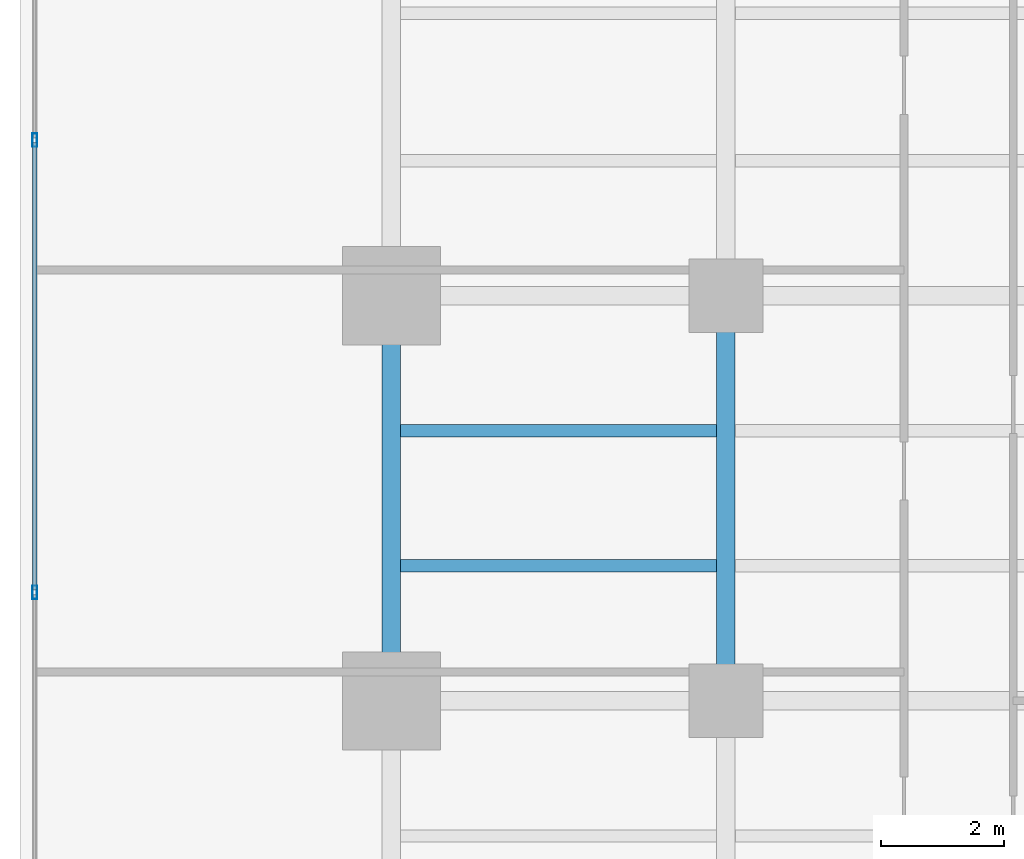
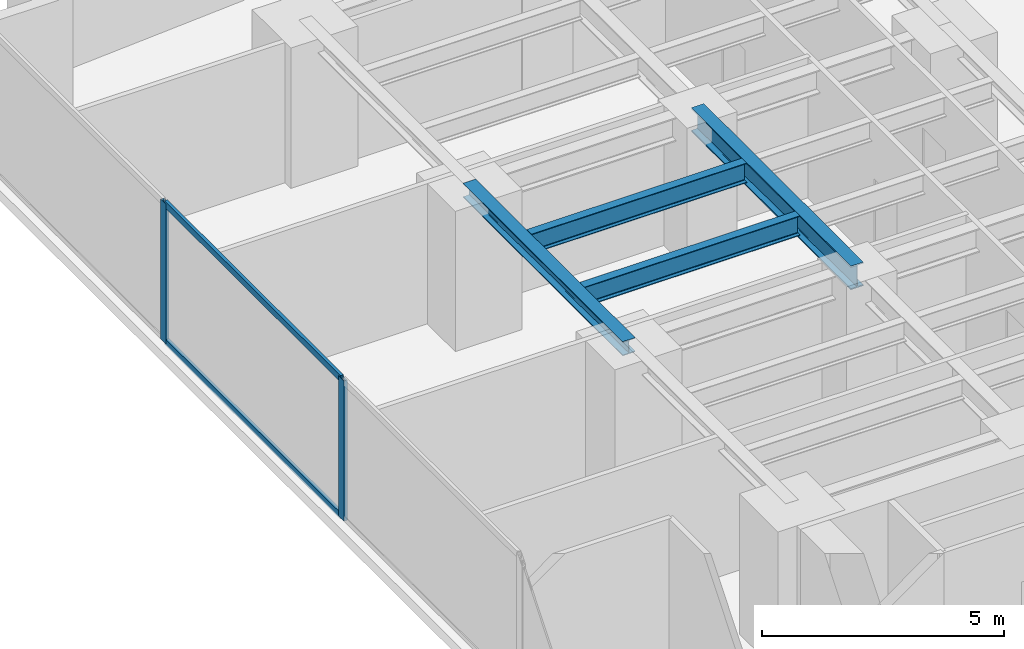
# One storey, part 15 of 28: 4 beams, 4 members, 1 element without a shape of its own.
"""IFC4 building model written with IfcOpenShell, lengths in metres."""

import ifcopenshell
import ifcopenshell.guid

model = None  # the IFC model being written
_history = None  # IfcOwnerHistory: only IFC2X3 demands one
_inside = {}  # id of a spatial element -> (the spatial element, [elements in it])
_under = {}  # id of a project, library or spatial element -> (it, [spatial elements below it])
_declared = {}  # id of a project -> (the project, [libraries it declares])
_typed = {}  # id of a type object -> (the type object, [elements of that type])
_made_of = {}  # id of a material, layer set ... -> (it, [elements and type objects made of it])


def new_model(schema):
    """Start an empty IFC model of exactly this schema.

    Asked for "IFC4X3", IfcOpenShell would pick the latest addendum, in which some entities
    have other attributes; the version numbers below select the first issue.
    IFC2X3 requires an IfcOwnerHistory on every rooted entity: one is made here for all.
    """
    global model, _history
    if schema == "IFC4X3":
        model = ifcopenshell.file(schema_version=(4, 3, 0, 0))
    else:
        model = ifcopenshell.file(schema=schema)
    _inside.clear()
    _under.clear()
    _declared.clear()
    _typed.clear()
    _made_of.clear()
    _history = None
    if model.schema == "IFC2X3":
        org = make("IfcOrganization", Name="unknown")
        user = make(
            "IfcPersonAndOrganization",
            ThePerson=make("IfcPerson", FamilyName="unknown"),
            TheOrganization=org,
        )
        app = make(
            "IfcApplication",
            ApplicationDeveloper=org,
            Version="unknown",
            ApplicationFullName="unknown",
            ApplicationIdentifier="unknown",
        )
        _history = make(
            "IfcOwnerHistory",
            OwningUser=user,
            OwningApplication=app,
            ChangeAction="ADDED",
            CreationDate=0,
        )
    return model


def make(cls, **values):
    """One entity of the class cls with the attributes given. An attribute that is None is left unset."""
    return model.create_entity(
        cls, **{name: value for name, value in values.items() if value is not None}
    )


def rooted(cls, **values):
    """An entity with a GlobalId (a new one), such as an element, a storey or a relation."""
    return make(cls, GlobalId=ifcopenshell.guid.new(), OwnerHistory=_history, **values)


def si_unit(unit_type, name, prefix=None):
    """IfcSIUnit, for example si_unit("LENGTHUNIT", "METRE", prefix="MILLI")."""
    return make("IfcSIUnit", UnitType=unit_type, Prefix=prefix, Name=name)


def assignment(units):
    """IfcUnitAssignment: the units of a project."""
    return None if units is None else make("IfcUnitAssignment", Units=units)


def point(xyz):
    """IfcCartesianPoint."""
    return None if xyz is None else make("IfcCartesianPoint", Coordinates=xyz)


def direction(xyz):
    """IfcDirection."""
    return None if xyz is None else make("IfcDirection", DirectionRatios=xyz)


def frame(location, z_axis=None, x_axis=None):
    """IfcAxis2Placement3D, a coordinate frame: its origin and axes. An axis left out is left unset."""
    return make(
        "IfcAxis2Placement3D",
        Location=point(location),
        Axis=direction(z_axis),
        RefDirection=direction(x_axis),
    )


def frame_2d(location, x_axis=None):
    """IfcAxis2Placement2D, a coordinate frame in the plane: its origin and x axis."""
    return make(
        "IfcAxis2Placement2D", Location=point(location), RefDirection=direction(x_axis)
    )


def origin():
    """The frame at (0, 0, 0) with its axes left unset."""
    return frame((0.0, 0.0, 0.0))


def origin_with_axes():
    """The frame at (0, 0, 0) with the z axis (0, 0, 1) and the x axis (1, 0, 0) written out."""
    return frame((0.0, 0.0, 0.0), z_axis=(0.0, 0.0, 1.0), x_axis=(1.0, 0.0, 0.0))


def origin_2d():
    """The frame at (0, 0) in the plane with its x axis left unset."""
    return frame_2d((0.0, 0.0))


def place(relative_to, where):
    """IfcLocalPlacement: puts the frame where relative to a parent placement (None: the world)."""
    return make(
        "IfcLocalPlacement", PlacementRelTo=relative_to, RelativePlacement=where
    )


def context(
    kind, dimensions, precision=None, world=None, true_north=None, identifier=None
):
    """IfcGeometricRepresentationContext, for example the 3D "Model" context."""
    return make(
        "IfcGeometricRepresentationContext",
        ContextIdentifier=identifier,
        ContextType=kind,
        CoordinateSpaceDimension=dimensions,
        Precision=precision,
        WorldCoordinateSystem=world,
        TrueNorth=true_north,
    )


def subcontext(parent, identifier, kind, view, scale=None):
    """IfcGeometricRepresentationSubContext, for example "Body" below "Model"."""
    return make(
        "IfcGeometricRepresentationSubContext",
        ContextIdentifier=identifier,
        ContextType=kind,
        ParentContext=parent,
        TargetScale=scale,
        TargetView=view,
    )


def project(units=None, contexts=None):
    """IfcProject with its units and contexts."""
    return rooted(
        "IfcProject",
        Name="project",
        RepresentationContexts=contexts,
        UnitsInContext=assignment(units),
    )


def spatial(cls, under=None, at=None, **own):
    """A site, building, storey or space (cls), placed at a placement, below another one or the project."""
    s = rooted(cls, ObjectPlacement=at, **own)
    if under is not None:
        _under.setdefault(under.id(), (under, []))[1].append(s)
    return s


def profile(cls, at=None, kind="AREA", **sizes):
    """A parametric profile (cls). Its sizes go by their IFC names, for example OverallWidth=200.0."""
    return make(cls, ProfileType=kind, Position=at, **sizes)


def hollow_rectangle(**sizes):
    """IfcRectangleHollowProfileDef."""
    return profile("IfcRectangleHollowProfileDef", **sizes)


def i_section(**sizes):
    """IfcIShapeProfileDef."""
    return profile("IfcIShapeProfileDef", **sizes)


def extrude(swept, where, along, depth):
    """IfcExtrudedAreaSolid: the profile swept, set in the frame where, extruded along a direction by depth."""
    return make(
        "IfcExtrudedAreaSolid",
        SweptArea=swept,
        Position=where,
        ExtrudedDirection=direction(along),
        Depth=depth,
    )


def shape(context_of_items, identifier, shape_type, items):
    """IfcShapeRepresentation: the items that make up one representation, for example the "Body"."""
    return make(
        "IfcShapeRepresentation",
        ContextOfItems=context_of_items,
        RepresentationIdentifier=identifier,
        RepresentationType=shape_type,
        Items=items,
    )


def source(mapping_origin, context_of_items, identifier, shape_type, items):
    """IfcRepresentationMap: a shape defined once, which mapped items show again and again."""
    return make(
        "IfcRepresentationMap",
        MappingOrigin=mapping_origin,
        MappedRepresentation=shape(context_of_items, identifier, shape_type, items),
    )


def transform(
    local_origin,
    x_axis=None,
    y_axis=None,
    z_axis=None,
    scale=None,
    scale2=None,
    scale3=None,
    uniform=True,
):
    """IfcCartesianTransformationOperator3D, or its non-uniform kind. x_axis, y_axis, z_axis: its Axis1, 2, 3."""
    if uniform:
        return make(
            "IfcCartesianTransformationOperator3D",
            Axis1=direction(x_axis),
            Axis2=direction(y_axis),
            LocalOrigin=point(local_origin),
            Scale=scale,
            Axis3=direction(z_axis),
        )
    return make(
        "IfcCartesianTransformationOperator3DnonUniform",
        Axis1=direction(x_axis),
        Axis2=direction(y_axis),
        LocalOrigin=point(local_origin),
        Scale=scale,
        Axis3=direction(z_axis),
        Scale2=scale2,
        Scale3=scale3,
    )


def mapped(mapping_source, mapping_target):
    """IfcMappedItem: shows the shape of a source again, moved by a transform."""
    return make(
        "IfcMappedItem", MappingSource=mapping_source, MappingTarget=mapping_target
    )


def material(Name=None, Category=None):
    """IfcMaterial."""
    return make("IfcMaterial", Name=Name, Category=Category)


def layer(
    of_material, thickness, ventilated=None, Name=None, Category=None, Priority=None
):
    """IfcMaterialLayer: one layer of a wall or slab, of a material (None: an air gap)."""
    return make(
        "IfcMaterialLayer",
        Material=of_material,
        LayerThickness=thickness,
        IsVentilated=ventilated,
        Name=Name,
        Category=Category,
        Priority=Priority,
    )


def layer_set(layers, Name=None):
    """IfcMaterialLayerSet."""
    return make("IfcMaterialLayerSet", MaterialLayers=layers, LayerSetName=Name)


def material_profile(
    of_material, cross_section, Name=None, Category=None, Priority=None
):
    """IfcMaterialProfile: a cross section and its material."""
    return make(
        "IfcMaterialProfile",
        Name=Name,
        Material=of_material,
        Profile=cross_section,
        Priority=Priority,
        Category=Category,
    )


def profile_set(profiles, Name=None, composite=None):
    """IfcMaterialProfileSet."""
    return make(
        "IfcMaterialProfileSet",
        Name=Name,
        MaterialProfiles=profiles,
        CompositeProfile=composite,
    )


def made_of(thing, what):
    """Note that an element or type object is made of a material, layer set ...; save() writes the relation."""
    if what is not None:
        _made_of.setdefault(what.id(), (what, []))[1].append(thing)
    return thing


def type_object(cls, material=None, **own):
    """A type object (cls), such as IfcWallType, which elements share."""
    return made_of(rooted(cls, **own), material)


def element(
    cls,
    number,
    at=None,
    inside=None,
    cuts=None,
    type_object=None,
    material=None,
    context=None,
    identifier="Body",
    shape_type=None,
    held_by="IfcProductDefinitionShape",
    body=None,
    shapes=None,
    **own,
):
    """One element of the class cls, such as IfcWall. Its Tag is "e" and its number.

    at: its placement. inside: the storey or other place that contains it. cuts: it is an
    opening in that element (IfcRelVoidsElement). A single representation is given by context,
    identifier, shape_type and body (its items); several are given by shapes. held_by: the class
    of the entity that holds the representations. save() writes the other relations.
    """
    e = rooted(cls, Tag="e%d" % number, ObjectPlacement=at, **own)
    if body is not None:
        shapes = [shape(context, identifier, shape_type, body)]
    if shapes is not None:
        e.Representation = make(held_by, Representations=shapes)
    if inside is not None:
        _inside.setdefault(inside.id(), (inside, []))[1].append(e)
    if cuts is not None:
        rooted(
            "IfcRelVoidsElement", RelatingBuildingElement=cuts, RelatedOpeningElement=e
        )
    if type_object is not None:
        _typed.setdefault(type_object.id(), (type_object, []))[1].append(e)
    return made_of(e, material)


def aggregate(whole, parts):
    """IfcRelAggregates: a whole, such as a stair, and the parts it consists of."""
    return rooted("IfcRelAggregates", RelatingObject=whole, RelatedObjects=parts)


def save(model, path):
    """Write the relations noted so far, then the file.

    IfcRelAggregates (storeys below a building ...), IfcRelContainedInSpatialStructure (elements
    in a storey), IfcRelDefinesByType, IfcRelAssociatesMaterial and IfcRelDeclares: one each for
    every whole, place, type object, material and project.
    """
    for whole, parts in _under.values():
        aggregate(whole, parts)
    for where, things in _inside.values():
        rooted(
            "IfcRelContainedInSpatialStructure",
            RelatedElements=things,
            RelatingStructure=where,
        )
    for kind, things in _typed.values():
        rooted("IfcRelDefinesByType", RelatedObjects=things, RelatingType=kind)
    for what, things in _made_of.values():
        rooted("IfcRelAssociatesMaterial", RelatedObjects=things, RelatingMaterial=what)
    for by, libraries in _declared.values():
        rooted("IfcRelDeclares", RelatingContext=by, RelatedDefinitions=libraries)
    model.write(path)


model = new_model("IFC4")

# Units and contexts
model_context = context("Model", 3, precision=1e-05, world=origin(), true_north=direction((0.0, 1.0)))
body_context = subcontext(model_context, "Body", "Model", "MODEL_VIEW")
ifc_project = project(units=[si_unit("LENGTHUNIT", "METRE"), si_unit("AREAUNIT", "SQUARE_METRE"), si_unit("VOLUMEUNIT", "CUBIC_METRE"), si_unit("PLANEANGLEUNIT", "RADIAN"), si_unit("MASSUNIT", "GRAM", prefix="KILO")], contexts=[model_context])

# Site, building, storey
site_placement = place(None, origin())
site = spatial("IfcSite", under=ifc_project, at=site_placement, CompositionType="ELEMENT")
building_placement = place(site_placement, origin())
building = spatial("IfcBuilding", under=site, at=building_placement, Name="Kolvaren Waterfront Exchange", CompositionType="ELEMENT")
storey_placement = place(building_placement, frame((0.0, 0.0, 56.199951171875)))
storey = spatial("IfcBuildingStorey", under=building, at=storey_placement, Name="L14", CompositionType="ELEMENT", Elevation=56.199951171875)

# Beams
ifc_material_1 = material(Name="Steel S355", Category="steel")
ifc_material_profile_1 = material_profile(ifc_material_1, i_section(OverallWidth=0.300048828125, OverallDepth=0.360107421875, WebThickness=0.012451171875, FlangeThickness=0.0224609375, FilletRadius=0.027099609375, at=origin_2d()), Name="HEB360")
ifc_profile_set_1 = profile_set([ifc_material_profile_1], Name="Steel S355")
beam_type_1 = type_object("IfcBeamType", Name="STR-BM-HEB360", PredefinedType="SPANDREL", material=ifc_profile_set_1)
beam_1_placement = place(storey_placement, frame((7.449951171875, 31.199951171875, 3.360107421875), z_axis=(0.0, 1.0, 0.0), x_axis=(-1.0, 0.0, 0.0)))
element("IfcBeam", 1, at=beam_1_placement, inside=storey, type_object=beam_type_1, Name="L14 north-arm edge beam 2", PredefinedType="SPANDREL", context=body_context, shape_type="SweptSolid", body=[
    extrude(i_section(OverallWidth=0.300048828125, OverallDepth=0.360107421875, WebThickness=0.012451171875, FlangeThickness=0.0224609375, FilletRadius=0.027099609375, at=origin_2d()), origin(), (0.0, 0.0, 1.0), 6.60009765625),
])
ifc_material_profile_2 = material_profile(ifc_material_1, i_section(OverallWidth=0.300048828125, OverallDepth=0.60009765625, WebThickness=0.015380859375, FlangeThickness=0.030029296875, FilletRadius=0.027099609375, at=origin_2d()), Name="HEB600")
ifc_profile_set_2 = profile_set([ifc_material_profile_2], Name="Steel S355")
beam_type_2 = type_object("IfcBeamType", Name="STR-BM-HEB600", PredefinedType="BEAM", material=ifc_profile_set_2)
beam_2_placement = place(storey_placement, frame((12.89990234375, 31.199951171875, 3.239990234375), z_axis=(0.0, 1.0, 0.0), x_axis=(-1.0, 0.0, 0.0)))
element("IfcBeam", 2, at=beam_2_placement, inside=storey, type_object=beam_type_2, Name="L14 north-arm edge beam 2", PredefinedType="BEAM", context=body_context, shape_type="SweptSolid", body=[
    extrude(i_section(OverallWidth=0.300048828125, OverallDepth=0.60009765625, WebThickness=0.015380859375, FlangeThickness=0.030029296875, FilletRadius=0.027099609375, at=origin_2d()), origin(), (0.0, 0.0, 1.0), 6.60009765625),
])
ifc_material_profile_3 = material_profile(ifc_material_1, i_section(OverallWidth=0.199951171875, OverallDepth=0.5, WebThickness=0.01025390625, FlangeThickness=0.01611328125, FilletRadius=0.02099609375, at=origin_2d()), Name="IPE500")
ifc_profile_set_3 = profile_set([ifc_material_profile_3], Name="Steel S355")
beam_type_3 = type_object("IfcBeamType", Name="STR-BM-IPE500", PredefinedType="JOIST", material=ifc_profile_set_3)
for number, where, z_axis, x_axis, name in (
    (3, (7.60205078125, 33.39990234375, 3.2900390625), (1.0, 0.0, 0.0), (0.0, 1.0, 0.0), "L14 north-arm composite joist 3A"),
    (4, (7.60205078125, 35.60009765625, 3.2900390625), (1.0, 0.0, 0.0), (0.0, 1.0, 0.0), "L14 north-arm composite joist 4A"),
):
    element("IfcBeam", number, at=place(storey_placement, frame(where, z_axis=z_axis, x_axis=x_axis)), inside=storey, type_object=beam_type_3, Name=name, PredefinedType="JOIST", context=body_context, shape_type="SweptSolid", body=[
        extrude(i_section(OverallWidth=0.199951171875, OverallDepth=0.5, WebThickness=0.01025390625, FlangeThickness=0.01611328125, FilletRadius=0.02099609375, at=origin_2d()), origin(), (0.0, 0.0, 1.0), 5.14599609375),
    ])

# Curtain wall, members
ifc_material_2 = material(Name="Anodised aluminium 6063-T6", Category="aluminium")
ifc_layer = layer(ifc_material_2, 0.219970703125, Name="Anodised aluminium 6063-T6")
ifc_layer_set = layer_set([ifc_layer], Name="Anodised aluminium 6063-T6")
curtain_wall_type = type_object("IfcCurtainWallType", Name="ARC-CW-SYS2", PredefinedType="USERDEFINED", material=ifc_layer_set)
curtain_wall_placement = place(storey_placement, origin())
curtain_wall = element("IfcCurtainWall", 5, at=curtain_wall_placement, inside=storey, type_object=curtain_wall_type, Name="L14 stick curtain wall CW2 (CW-L14-W)", ObjectType="STICK CURTAIN WALL", PredefinedType="USERDEFINED")
ifc_material_profile_4 = material_profile(ifc_material_2, hollow_rectangle(XDim=0.074951171875, YDim=0.159912109375, WallThickness=0.00439453125, at=origin_2d()), Name="ALU-TRN-160x75x4.5")
ifc_profile_set_4 = profile_set([ifc_material_profile_4], Name="Anodised aluminium 6063-T6")
member_type_1 = type_object("IfcMemberType", Name="ARC-CWT-160", PredefinedType="USERDEFINED", material=ifc_profile_set_4)
shared_shape_1 = source(origin_with_axes(), body_context, "Body", "SweptSolid", [
    extrude(hollow_rectangle(XDim=0.074951171875, YDim=0.159912109375, WallThickness=0.00439453125, at=origin_2d()), origin(), (0.0, 0.0, 1.0), 7.28662109375),
])
member_1_placement = place(storey_placement, frame((1.639892578125, 33.006591796875, 0.03759765625), z_axis=(0.0, 1.0, 0.0), x_axis=(-1.0, 0.0, 0.0)))
member_1 = element("IfcMember", 6, at=member_1_placement, type_object=member_type_1, Name="CW2 transom 5.1", ObjectType="TRANSOM", PredefinedType="USERDEFINED", context=body_context, shape_type="MappedRepresentation", body=[
    mapped(shared_shape_1, transform((0.0, 0.0, 0.0), x_axis=(1.0, 0.0, 0.0), y_axis=(0.0, 1.0, 0.0), z_axis=(0.0, 0.0, 1.0), scale=1.0)),
])
member_2_placement = place(storey_placement, frame((1.639892578125, 33.006591796875, 3.50244140625), z_axis=(0.0, 1.0, 0.0), x_axis=(-1.0, 0.0, 0.0)))
member_2 = element("IfcMember", 7, at=member_2_placement, type_object=member_type_1, Name="CW2 transom 5.2", ObjectType="TRANSOM", PredefinedType="USERDEFINED", context=body_context, shape_type="MappedRepresentation", body=[
    mapped(shared_shape_1, transform((0.0, 0.0, 0.0), x_axis=(1.0, 0.0, 0.0), y_axis=(0.0, 1.0, 0.0), z_axis=(0.0, 0.0, 1.0), scale=1.0)),
])
ifc_material_profile_5 = material_profile(ifc_material_2, hollow_rectangle(XDim=0.080078125, YDim=0.219970703125, WallThickness=0.0048828125, at=origin_2d()), Name="ALU-MUL-220x80x5")
ifc_profile_set_5 = profile_set([ifc_material_profile_5], Name="Anodised aluminium 6063-T6")
member_type_2 = type_object("IfcMemberType", Name="ARC-CWM-220", PredefinedType="MULLION", material=ifc_profile_set_5)
shared_shape_2 = source(origin_with_axes(), body_context, "Body", "SweptSolid", [
    extrude(hollow_rectangle(XDim=0.080078125, YDim=0.219970703125, WallThickness=0.0048828125, at=origin_2d()), origin(), (0.0, 0.0, 1.0), 3.5400390625),
])
member_3_placement = place(storey_placement, frame((1.639892578125, 32.966552734375, 0.0), z_axis=(0.0, 0.0, 1.0), x_axis=(-1.0, 0.0, 0.0)))
member_3 = element("IfcMember", 8, at=member_3_placement, type_object=member_type_2, Name="CW2 mullion 5", PredefinedType="MULLION", context=body_context, shape_type="MappedRepresentation", body=[
    mapped(shared_shape_2, transform((0.0, 0.0, 0.0), x_axis=(1.0, 0.0, 0.0), y_axis=(0.0, 1.0, 0.0), z_axis=(0.0, 0.0, 1.0), scale=1.0)),
])
member_4_placement = place(storey_placement, frame((1.639892578125, 40.333251953125, 0.0), z_axis=(0.0, 0.0, 1.0), x_axis=(-1.0, 0.0, 0.0)))
member_4 = element("IfcMember", 9, at=member_4_placement, type_object=member_type_2, Name="CW2 mullion 6", PredefinedType="MULLION", context=body_context, shape_type="MappedRepresentation", body=[
    mapped(shared_shape_2, transform((0.0, 0.0, 0.0), x_axis=(1.0, 0.0, 0.0), y_axis=(0.0, 1.0, 0.0), z_axis=(0.0, 0.0, 1.0), scale=1.0)),
])
aggregate(curtain_wall, [member_3, member_4, member_1, member_2])

save(model, "model.ifc")
